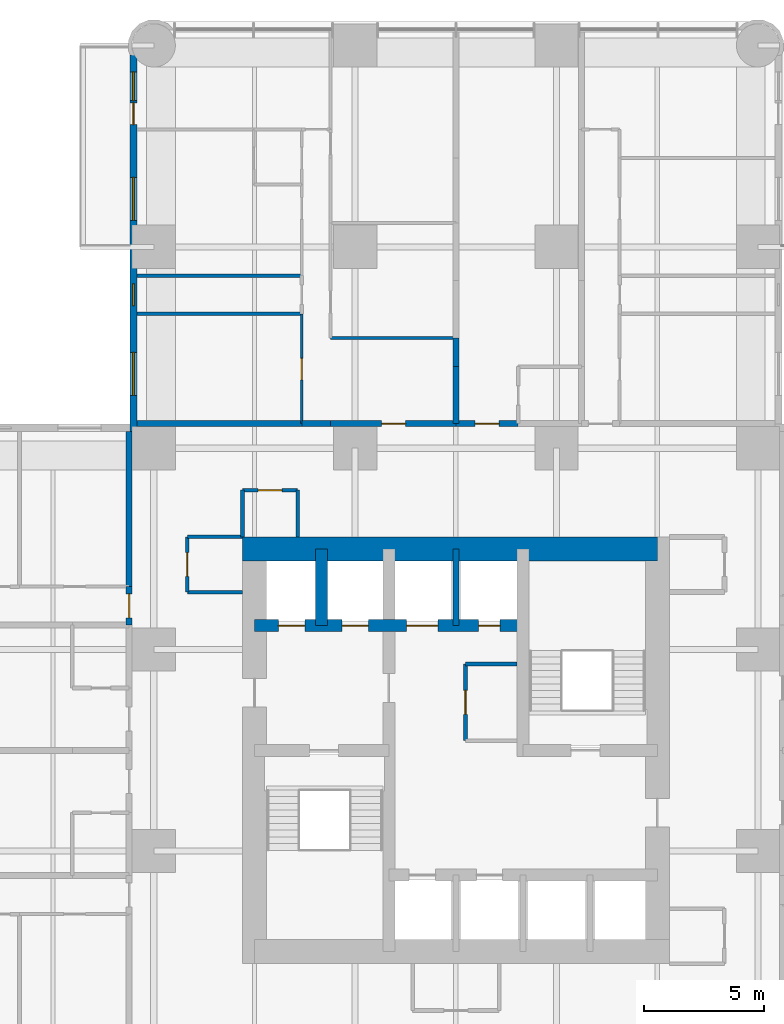
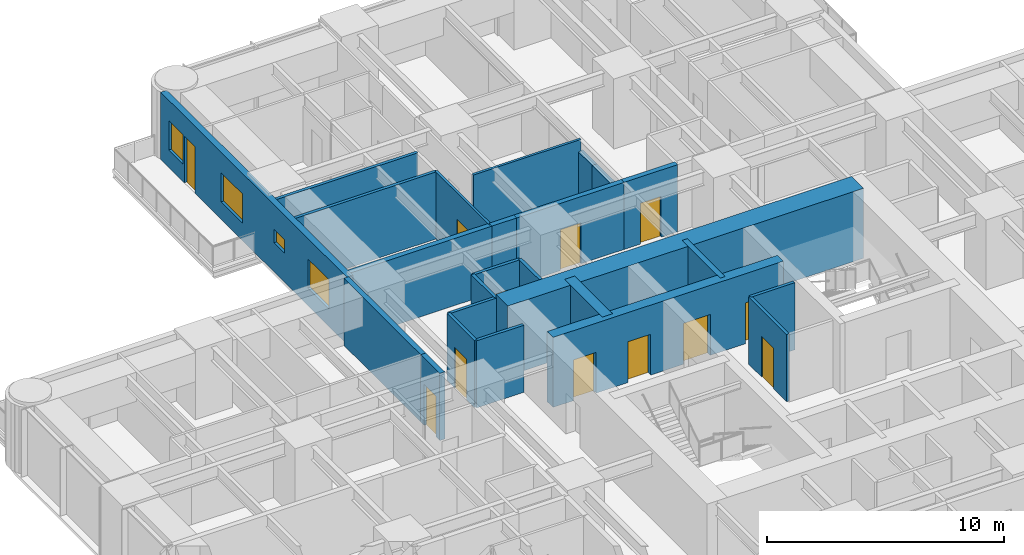
# One storey, part 12 of 17: 25 walls, 12 doors, 4 windows, 16 openings.
"""IFC4 building model written with IfcOpenShell, lengths in metres."""

from ifc_helpers import new_model, si_unit, direction, frame, frame_2d, origin, place, context, subcontext, project, spatial, rectangle, extrude, material, layer, layer_set, type_object, element, fill, save


model = new_model("IFC4")

# Units and contexts
model_context = context("Model", 3, precision=1e-05, world=origin(), true_north=direction((0.0, 1.0)))
body_context = subcontext(model_context, "Body", "Model", "MODEL_VIEW")
ifc_project = project(units=[si_unit("LENGTHUNIT", "METRE"), si_unit("AREAUNIT", "SQUARE_METRE"), si_unit("VOLUMEUNIT", "CUBIC_METRE"), si_unit("PLANEANGLEUNIT", "RADIAN"), si_unit("MASSUNIT", "GRAM", prefix="KILO")], contexts=[model_context])

# Site, building, storey
site_placement = place(None, origin())
site = spatial("IfcSite", under=ifc_project, at=site_placement, CompositionType="ELEMENT")
building_placement = place(site_placement, origin())
building = spatial("IfcBuilding", under=site, at=building_placement, Name="Torre Alcanfor", CompositionType="ELEMENT")
storey_placement = place(building_placement, frame((0.0, 0.0, 70.5)))
storey = spatial("IfcBuildingStorey", under=building, at=storey_placement, Name="L17", CompositionType="ELEMENT", Elevation=70.5)

# Wall, opening, door
ifc_material_1 = material(Name="Concrete block masonry, hollow blocks NMX-C-404 9 MPa", Category="masonry")
ifc_layer_1 = layer(ifc_material_1, 0.25)
ifc_layer_set_1 = layer_set([ifc_layer_1], Name="Apartment entrance wall 250 EI 60")
wall_type_1 = type_object("IfcWallType", Name="Apartment entrance wall 250 EI 60", PredefinedType="PARTITIONING", material=ifc_layer_set_1)
wall_1_placement = place(storey_placement, frame((24.1708984375, 43.02490234375, 0.0), z_axis=(0.0, 0.0, 1.0), x_axis=(1.0, 0.0, 0.0)))
wall_1 = element("IfcWall", 1, at=wall_1_placement, inside=storey, type_object=wall_type_1, Name="Partition L17-CORR / L17-N1-ZAG", PredefinedType="PARTITIONING", context=body_context, shape_type="SweptSolid", body=[
    extrude(rectangle(XDim=5.22900390625, YDim=0.25, at=frame_2d((2.614501953125, 0.0))), origin(), (0.0, 0.0, 1.0), 3.449951171875),
])
opening_1_placement = place(wall_1_placement, frame((2.12890625, 0.0, 0.0)))
opening_1 = element("IfcOpeningElement", 2, at=opening_1_placement, cuts=wall_1, Name="Opening D-A1", PredefinedType="OPENING", context=body_context, shape_type="SweptSolid", body=[
    extrude(rectangle(XDim=1.0, YDim=2.10009765625, at=frame_2d((0.5, 1.050048828125))), frame((0.0, 0.135009765625, 0.0), z_axis=(0.0, -1.0, 0.0), x_axis=(1.0, 0.0, 0.0)), (0.0, 0.0, 1.0), 0.27001953125),
])
ifc_material_2 = material(Name="Galvanised steel sheet ASTM A653", Category="steel")
door_type_1 = type_object("IfcDoorType", Name="Apartment entrance door FD60 1000x2100", OperationType="SINGLE_SWING_LEFT", PredefinedType="DOOR", material=ifc_material_2)
door_1_placement = place(opening_1_placement, origin())
door_1 = element("IfcDoor", 3, at=door_1_placement, inside=storey, type_object=door_type_1, Name="Apartment entrance L17-N1", OperationType="SINGLE_SWING_RIGHT", OverallHeight=2.10009765625, OverallWidth=1.0, PredefinedType="DOOR", context=body_context, shape_type="SweptSolid", body=[
    extrude(rectangle(XDim=1.0, YDim=2.10009765625, at=frame_2d((0.5, 1.050048828125))), frame((0.0, 0.02490234375, 0.0), z_axis=(0.0, -1.0, 0.0), x_axis=(1.0, 0.0, 0.0)), (0.0, 0.0, 1.0), 0.050048828125),
])
fill(opening_1, door_1)

# Walls
wall_2_placement = place(storey_placement, frame((22.970947265625, 43.02490234375, 0.0), z_axis=(0.0, 0.0, 1.0), x_axis=(1.0, 0.0, 0.0)))
element("IfcWall", 4, at=wall_2_placement, inside=storey, type_object=wall_type_1, Name="Partition L17-CORR / L17-N1-HALL", PredefinedType="PARTITIONING", context=body_context, shape_type="SweptSolid", body=[
    extrude(rectangle(XDim=1.199951171875, YDim=0.25, at=frame_2d((0.60009765625, 0.0))), origin(), (0.0, 0.0, 1.0), 3.449951171875),
])
wall_3_placement = place(storey_placement, frame((16.10009765625, 43.02490234375, 0.0), z_axis=(0.0, 0.0, 1.0), x_axis=(1.0, 0.0, 0.0)))
element("IfcWall", 5, at=wall_3_placement, inside=storey, type_object=wall_type_1, Name="Partition L17-CORR / L17-N1-BED2", PredefinedType="PARTITIONING", context=body_context, shape_type="SweptSolid", body=[
    extrude(rectangle(XDim=6.870849609375, YDim=0.25, at=frame_2d((3.435546875, 0.0))), origin(), (0.0, 0.0, 1.0), 3.449951171875),
])

# Wall, opening, door
wall_4_placement = place(storey_placement, frame((29.39990234375, 43.02490234375, 0.0), z_axis=(0.0, 0.0, 1.0), x_axis=(1.0, 0.0, 0.0)))
wall_4 = element("IfcWall", 6, at=wall_4_placement, inside=storey, type_object=wall_type_1, Name="Partition L17-CORR / L17-N2A-FOYER", PredefinedType="PARTITIONING", context=body_context, shape_type="SweptSolid", body=[
    extrude(rectangle(XDim=2.60009765625, YDim=0.25, at=frame_2d((1.300048828125, 0.0))), origin(), (0.0, 0.0, 1.0), 3.449951171875),
])
opening_2_placement = place(wall_4_placement, frame((0.800048828125, 0.0, 0.0)))
opening_2 = element("IfcOpeningElement", 7, at=opening_2_placement, cuts=wall_4, Name="Opening D-A1", PredefinedType="OPENING", context=body_context, shape_type="SweptSolid", body=[
    extrude(rectangle(XDim=1.0, YDim=2.10009765625, at=frame_2d((0.5, 1.050048828125))), frame((0.0, 0.135009765625, 0.0), z_axis=(0.0, -1.0, 0.0), x_axis=(1.0, 0.0, 0.0)), (0.0, 0.0, 1.0), 0.27001953125),
])
door_2_placement = place(opening_2_placement, origin())
door_2 = element("IfcDoor", 8, at=door_2_placement, inside=storey, type_object=door_type_1, Name="Apartment entrance L17-N2A", OperationType="SINGLE_SWING_LEFT", OverallHeight=2.10009765625, OverallWidth=1.0, PredefinedType="DOOR", context=body_context, shape_type="SweptSolid", body=[
    extrude(rectangle(XDim=1.0, YDim=2.10009765625, at=frame_2d((0.5, 1.050048828125))), frame((0.0, 0.02490234375, 0.0), z_axis=(0.0, -1.0, 0.0), x_axis=(1.0, 0.0, 0.0)), (0.0, 0.0, 1.0), 0.050048828125),
])
fill(opening_2, door_2)

wall_5_placement = place(storey_placement, frame((15.77490234375, 34.62890625, 0.0), z_axis=(0.0, 0.0, 1.0), x_axis=(0.0, 1.0, 0.0)))
wall_5 = element("IfcWall", 9, at=wall_5_placement, inside=storey, type_object=wall_type_1, Name="Partition L17-CORR / L17-W2B-HALL", PredefinedType="PARTITIONING", context=body_context, shape_type="SweptSolid", body=[
    extrude(rectangle(XDim=1.60009765625, YDim=0.25, at=frame_2d((0.800048828125, 0.0))), origin(), (0.0, 0.0, 1.0), 3.449951171875),
])
opening_3_placement = place(wall_5_placement, frame((0.300048828125, 0.0, 0.0)))
opening_3 = element("IfcOpeningElement", 10, at=opening_3_placement, cuts=wall_5, Name="Opening D-A1", PredefinedType="OPENING", context=body_context, shape_type="SweptSolid", body=[
    extrude(rectangle(XDim=1.0, YDim=2.10009765625, at=frame_2d((0.5, 1.050048828125))), frame((0.0, 0.135009765625, 0.0), z_axis=(0.0, -1.0, 0.0), x_axis=(1.0, 0.0, 0.0)), (0.0, 0.0, 1.0), 0.27001953125),
])
door_3_placement = place(opening_3_placement, origin())
door_3 = element("IfcDoor", 11, at=door_3_placement, inside=storey, type_object=door_type_1, Name="Apartment entrance L17-W2B", OperationType="SINGLE_SWING_LEFT", OverallHeight=2.10009765625, OverallWidth=1.0, PredefinedType="DOOR", context=body_context, shape_type="SweptSolid", body=[
    extrude(rectangle(XDim=1.0, YDim=2.10009765625, at=frame_2d((0.5, 1.050048828125))), frame((0.0, 0.02490234375, 0.0), z_axis=(0.0, -1.0, 0.0), x_axis=(1.0, 0.0, 0.0)), (0.0, 0.0, 1.0), 0.050048828125),
])
fill(opening_3, door_3)

# Walls
wall_6_placement = place(storey_placement, frame((15.77490234375, 36.22900390625, 0.0), z_axis=(0.0, 0.0, 1.0), x_axis=(0.0, 1.0, 0.0)))
element("IfcWall", 12, at=wall_6_placement, inside=storey, type_object=wall_type_1, Name="Partition L17-CORR / L17-W2B-BED2", PredefinedType="PARTITIONING", context=body_context, shape_type="SweptSolid", body=[
    extrude(rectangle(XDim=6.470947265625, YDim=0.25, at=frame_2d((3.2353515625, 0.0))), origin(), (0.0, 0.0, 1.0), 3.449951171875),
])
ifc_material_3 = material(Name="Gypsum board on steel studs", Category="steel")
ifc_layer_2 = layer(ifc_material_3, 0.1201171875)
ifc_layer_set_2 = layer_set([ifc_layer_2], Name="Apartment partition 120")
wall_type_2 = type_object("IfcWallType", Name="Apartment partition 120", PredefinedType="PARTITIONING", material=ifc_layer_set_2)
wall_7_placement = place(storey_placement, frame((29.39990234375, 46.60009765625, 0.0), z_axis=(0.0, 0.0, 1.0), x_axis=(-1.0, 0.0, 0.0)))
element("IfcWall", 13, at=wall_7_placement, inside=storey, type_object=wall_type_2, Name="Partition L17-N1-ZAG / L17-N1-FAMILY", PredefinedType="PARTITIONING", context=body_context, shape_type="SweptSolid", body=[
    extrude(rectangle(XDim=5.22900390625, YDim=0.1201171875, at=frame_2d((2.614501953125, 0.0))), origin(), (0.0, 0.0, 1.0), 3.449951171875),
])

# Wall, opening, door
wall_8_placement = place(storey_placement, frame((22.970947265625, 47.60009765625, 0.0), z_axis=(0.0, 0.0, 1.0), x_axis=(0.0, -1.0, 0.0)))
wall_8 = element("IfcWall", 14, at=wall_8_placement, inside=storey, type_object=wall_type_2, Name="Partition L17-N1-HALL / L17-N1-BED2", PredefinedType="PARTITIONING", context=body_context, shape_type="SweptSolid", body=[
    extrude(rectangle(XDim=4.5751953125, YDim=0.1201171875, at=frame_2d((2.28759765625, 0.0))), origin(), (0.0, 0.0, 1.0), 3.449951171875),
])
opening_4_placement = place(wall_8_placement, frame((1.85009765625, 0.0, 0.0)))
opening_4 = element("IfcOpeningElement", 15, at=opening_4_placement, cuts=wall_8, Name="Opening D-R1", PredefinedType="OPENING", context=body_context, shape_type="SweptSolid", body=[
    extrude(rectangle(XDim=0.89990234375, YDim=2.10009765625, at=frame_2d((0.449951171875, 1.050048828125))), frame((0.0, 0.070068359375, 0.0), z_axis=(0.0, -1.0, 0.0), x_axis=(1.0, 0.0, 0.0)), (0.0, 0.0, 1.0), 0.14013671875),
])
ifc_material_4 = material(Name="Timber", Category="wood")
door_type_2 = type_object("IfcDoorType", Name="Internal door 900x2100", OperationType="SINGLE_SWING_LEFT", PredefinedType="DOOR", material=ifc_material_4)
door_4_placement = place(opening_4_placement, frame((0.89990234375, 0.0, 0.0), z_axis=(0.0, 0.0, 1.0), x_axis=(-1.0, 0.0, 0.0)))
door_4 = element("IfcDoor", 16, at=door_4_placement, inside=storey, type_object=door_type_2, Name="Door L17-N1 bed2", OperationType="SINGLE_SWING_LEFT", OverallHeight=2.10009765625, OverallWidth=0.89990234375, PredefinedType="DOOR", context=body_context, shape_type="SweptSolid", body=[
    extrude(rectangle(XDim=0.89990234375, YDim=2.10009765625, at=frame_2d((0.449951171875, 1.050048828125))), frame((0.0, 0.025146484375, 0.0), z_axis=(0.0, -1.0, 0.0), x_axis=(1.0, 0.0, 0.0)), (0.0, 0.0, 1.0), 0.050048828125),
])
fill(opening_4, door_4)

# Wall, openings, doors
ifc_material_5 = material(Name="Concrete f'c 70 MPa", Category="concrete")
ifc_layer_3 = layer(ifc_material_5, 0.5)
ifc_layer_set_3 = layer_set([ifc_layer_3], Name="Core inner wall 500 f'c70")
wall_type_3 = type_object("IfcWallType", Name="Core inner wall 500 f'c70", PredefinedType="SHEAR", material=ifc_layer_set_3)
wall_9_placement = place(storey_placement, frame((21.0, 34.60009765625, 0.0), z_axis=(0.0, 0.0, 1.0), x_axis=(1.0, 0.0, 0.0)))
wall_9 = element("IfcWall", 17, at=wall_9_placement, inside=storey, type_object=wall_type_3, Name="Core wall Y346 L17", PredefinedType="SHEAR", context=body_context, shape_type="SweptSolid", body=[
    extrude(rectangle(XDim=11.199951171875, YDim=0.5, at=frame_2d((5.60009765625, 0.0))), origin(), (0.0, 0.0, 1.0), 3.60009765625),
])
opening_5_placement = place(wall_9_placement, frame((9.35009765625, 0.0, 0.0)))
opening_5 = element("IfcOpeningElement", 18, at=opening_5_placement, cuts=wall_9, Name="Opening D-Q1", PredefinedType="OPENING", context=body_context, shape_type="SweptSolid", body=[
    extrude(rectangle(XDim=0.89990234375, YDim=2.10009765625, at=frame_2d((0.449951171875, 1.050048828125))), frame((0.0, 0.260009765625, 0.0), z_axis=(0.0, -1.0, 0.0), x_axis=(1.0, 0.0, 0.0)), (0.0, 0.0, 1.0), 0.52001953125),
])
opening_6_placement = place(wall_9_placement, frame((1.0, 0.0, 0.0)))
opening_6 = element("IfcOpeningElement", 19, at=opening_6_placement, cuts=wall_9, Name="Opening LD2", PredefinedType="OPENING", context=body_context, shape_type="SweptSolid", body=[
    extrude(rectangle(XDim=1.10009765625, YDim=2.10009765625, at=frame_2d((0.550048828125, 1.050048828125))), frame((0.0, 0.260009765625, 0.0), z_axis=(0.0, -1.0, 0.0), x_axis=(1.0, 0.0, 0.0)), (0.0, 0.0, 1.0), 0.52001953125),
])
opening_7_placement = place(wall_9_placement, frame((3.64990234375, 0.0, 0.0)))
opening_7 = element("IfcOpeningElement", 20, at=opening_7_placement, cuts=wall_9, Name="Opening LD2", PredefinedType="OPENING", context=body_context, shape_type="SweptSolid", body=[
    extrude(rectangle(XDim=1.10009765625, YDim=2.10009765625, at=frame_2d((0.550048828125, 1.050048828125))), frame((0.0, 0.260009765625, 0.0), z_axis=(0.0, -1.0, 0.0), x_axis=(1.0, 0.0, 0.0)), (0.0, 0.0, 1.0), 0.52001953125),
])
opening_8_placement = place(wall_9_placement, frame((6.35009765625, 0.0, 0.0)))
opening_8 = element("IfcOpeningElement", 21, at=opening_8_placement, cuts=wall_9, Name="Opening LD3", PredefinedType="OPENING", context=body_context, shape_type="SweptSolid", body=[
    extrude(rectangle(XDim=1.300048828125, YDim=2.10009765625, at=frame_2d((0.64990234375, 1.050048828125))), frame((0.0, 0.260009765625, 0.0), z_axis=(0.0, -1.0, 0.0), x_axis=(1.0, 0.0, 0.0)), (0.0, 0.0, 1.0), 0.52001953125),
])
ifc_material_6 = material(Name="Galvanised steel sheet ASTM A653", Category="steel")
door_type_3 = type_object("IfcDoorType", Name="Firefighting lift landing door 1100x2100", OperationType="DOUBLE_DOOR_SLIDING", PredefinedType="DOOR", material=ifc_material_6)
door_5_placement = place(opening_6_placement, origin())
door_5 = element("IfcDoor", 22, at=door_5_placement, inside=storey, type_object=door_type_3, Name="Lift landing door FL1 L17", OperationType="DOUBLE_DOOR_SLIDING", OverallHeight=2.10009765625, OverallWidth=1.10009765625, PredefinedType="DOOR", context=body_context, shape_type="SweptSolid", body=[
    extrude(rectangle(XDim=1.10009765625, YDim=2.10009765625, at=frame_2d((0.550048828125, 1.050048828125))), frame((0.0, 0.02490234375, 0.0), z_axis=(0.0, -1.0, 0.0), x_axis=(1.0, 0.0, 0.0)), (0.0, 0.0, 1.0), 0.050048828125),
])
fill(opening_6, door_5)
door_6_placement = place(opening_7_placement, origin())
door_6 = element("IfcDoor", 23, at=door_6_placement, inside=storey, type_object=door_type_3, Name="Lift landing door FL2 L17", OperationType="DOUBLE_DOOR_SLIDING", OverallHeight=2.10009765625, OverallWidth=1.10009765625, PredefinedType="DOOR", context=body_context, shape_type="SweptSolid", body=[
    extrude(rectangle(XDim=1.10009765625, YDim=2.10009765625, at=frame_2d((0.550048828125, 1.050048828125))), frame((0.0, 0.02490234375, 0.0), z_axis=(0.0, -1.0, 0.0), x_axis=(1.0, 0.0, 0.0)), (0.0, 0.0, 1.0), 0.050048828125),
])
fill(opening_7, door_6)
ifc_material_7 = material(Name="Galvanised steel sheet ASTM A653", Category="steel")
door_type_4 = type_object("IfcDoorType", Name="Riser access door FD120 900x2100", OperationType="SINGLE_SWING_LEFT", PredefinedType="DOOR", material=ifc_material_7)
door_7_placement = place(opening_5_placement, origin())
door_7 = element("IfcDoor", 24, at=door_7_placement, inside=storey, type_object=door_type_4, Name="Riser door L17", OperationType="SINGLE_SWING_LEFT", OverallHeight=2.10009765625, OverallWidth=0.89990234375, PredefinedType="DOOR", context=body_context, shape_type="SweptSolid", body=[
    extrude(rectangle(XDim=0.89990234375, YDim=2.10009765625, at=frame_2d((0.449951171875, 1.050048828125))), frame((0.0, 0.02490234375, 0.0), z_axis=(0.0, -1.0, 0.0), x_axis=(1.0, 0.0, 0.0)), (0.0, 0.0, 1.0), 0.050048828125),
])
fill(opening_5, door_7)
ifc_material_8 = material(Name="Galvanised steel sheet ASTM A653", Category="steel")
door_type_5 = type_object("IfcDoorType", Name="Service lift landing door 1300x2100", OperationType="DOUBLE_DOOR_SLIDING", PredefinedType="DOOR", material=ifc_material_8)
door_8_placement = place(opening_8_placement, origin())
door_8 = element("IfcDoor", 25, at=door_8_placement, inside=storey, type_object=door_type_5, Name="Lift landing door SL1 L17", OperationType="DOUBLE_DOOR_SLIDING", OverallHeight=2.10009765625, OverallWidth=1.300048828125, PredefinedType="DOOR", context=body_context, shape_type="SweptSolid", body=[
    extrude(rectangle(XDim=1.300048828125, YDim=2.10009765625, at=frame_2d((0.64990234375, 1.050048828125))), frame((0.0, 0.02490234375, 0.0), z_axis=(0.0, -1.0, 0.0), x_axis=(1.0, 0.0, 0.0)), (0.0, 0.0, 1.0), 0.050048828125),
])
fill(opening_8, door_8)

# Walls
wall_10_placement = place(storey_placement, frame((23.800048828125, 34.60009765625, 0.0), z_axis=(0.0, 0.0, 1.0), x_axis=(0.0, 1.0, 0.0)))
element("IfcWall", 26, at=wall_10_placement, inside=storey, type_object=wall_type_3, Name="Core wall X238 L17", PredefinedType="SHEAR", context=body_context, shape_type="SweptSolid", body=[
    extrude(rectangle(XDim=3.199951171875, YDim=0.5, at=frame_2d((1.60009765625, 0.0))), origin(), (0.0, 0.0, 1.0), 3.60009765625),
])
ifc_material_9 = material(Name="Concrete f'c 70 MPa", Category="concrete")
ifc_layer_4 = layer(ifc_material_9, 0.25)
ifc_layer_set_4 = layer_set([ifc_layer_4], Name="Core shaft wall 250 f'c70")
wall_type_4 = type_object("IfcWallType", Name="Core shaft wall 250 f'c70", PredefinedType="SHEAR", material=ifc_layer_set_4)
wall_11_placement = place(storey_placement, frame((29.39990234375, 34.60009765625, 0.0), z_axis=(0.0, 0.0, 1.0), x_axis=(0.0, 1.0, 0.0)))
element("IfcWall", 27, at=wall_11_placement, inside=storey, type_object=wall_type_4, Name="Core wall X294N L17", PredefinedType="SHEAR", context=body_context, shape_type="SweptSolid", body=[
    extrude(rectangle(XDim=3.199951171875, YDim=0.25, at=frame_2d((1.60009765625, 0.0))), origin(), (0.0, 0.0, 1.0), 3.60009765625),
])
ifc_material_10 = material(Name="Concrete f'c 70 MPa", Category="concrete")
ifc_layer_5 = layer(ifc_material_10, 1.0)
ifc_layer_set_5 = layer_set([ifc_layer_5], Name="Core wall 1000 f'c70")
wall_type_5 = type_object("IfcWallType", Name="Core wall 1000 f'c70", PredefinedType="SHEAR", material=ifc_layer_set_5)
wall_12_placement = place(storey_placement, frame((37.800048828125, 37.800048828125, 0.0), z_axis=(0.0, 0.0, 1.0), x_axis=(-1.0, 0.0, 0.0)))
element("IfcWall", 28, at=wall_12_placement, inside=storey, type_object=wall_type_5, Name="Core wall OUT-N L17", PredefinedType="SHEAR", context=body_context, shape_type="SweptSolid", body=[
    extrude(rectangle(XDim=17.300048828125, YDim=1.0, at=frame_2d((8.64990234375, 0.0))), origin(), (0.0, 0.0, 1.0), 3.60009765625),
])

# Wall, openings, door, windows
ifc_material_11 = material(Name="Limestone cladding", Category="masonry")
ifc_layer_6 = layer(ifc_material_11, 0.0400390625, Name="Facing")
ifc_material_12 = material(Name="Ventilated air cavity")
ifc_layer_7 = layer(ifc_material_12, 0.02001953125, ventilated=True, Name="Ventilated joint")
ifc_material_13 = material(Name="Mineral wool insulation", Category="insulation")
ifc_layer_8 = layer(ifc_material_13, 0.10009765625, Name="Insulation")
ifc_material_14 = material(Name="Concrete f'c 35 MPa", Category="concrete")
ifc_layer_9 = layer(ifc_material_14, 0.139892578125, Name="Backing")
ifc_layer_set_6 = layer_set([ifc_layer_6, ifc_layer_7, ifc_layer_8, ifc_layer_9], Name="External wall stone-clad 300")
wall_type_6 = type_object("IfcWallType", Name="External wall stone-clad 300", PredefinedType="SOLIDWALL", material=ifc_layer_set_6)
wall_13_placement = place(storey_placement, frame((15.949951171875, 58.39990234375, 0.0), z_axis=(0.0, 0.0, 1.0), x_axis=(0.0, -1.0, 0.0)))
wall_13 = element("IfcWall", 29, at=wall_13_placement, inside=storey, type_object=wall_type_6, Name="External wall L17 12", PredefinedType="SOLIDWALL", context=body_context, shape_type="SweptSolid", body=[
    extrude(rectangle(XDim=15.699951171875, YDim=0.300048828125, at=frame_2d((7.85009765625, 0.0))), origin(), (0.0, 0.0, 1.0), 3.449951171875),
])
opening_9_placement = place(wall_13_placement, frame((12.39990234375, 0.0, 0.89990234375)))
opening_9 = element("IfcOpeningElement", 30, at=opening_9_placement, cuts=wall_13, Name="Opening W2", PredefinedType="OPENING", context=body_context, shape_type="SweptSolid", body=[
    extrude(rectangle(XDim=1.800048828125, YDim=1.5, at=frame_2d((0.89990234375, 0.75))), frame((0.0, 0.159912109375, 0.0), z_axis=(0.0, -1.0, 0.0), x_axis=(1.0, 0.0, 0.0)), (0.0, 0.0, 1.0), 0.320068359375),
])
opening_10_placement = place(wall_13_placement, frame((9.550048828125, 0.0, 1.5)))
opening_10 = element("IfcOpeningElement", 31, at=opening_10_placement, cuts=wall_13, Name="Opening W3", PredefinedType="OPENING", context=body_context, shape_type="SweptSolid", body=[
    extrude(rectangle(XDim=0.89990234375, YDim=0.699951171875, at=frame_2d((0.449951171875, 0.35009765625))), frame((0.0, 0.159912109375, 0.0), z_axis=(0.0, -1.0, 0.0), x_axis=(1.0, 0.0, 0.0)), (0.0, 0.0, 1.0), 0.320068359375),
])
opening_11_placement = place(wall_13_placement, frame((5.10009765625, 0.0, 0.89990234375)))
opening_11 = element("IfcOpeningElement", 32, at=opening_11_placement, cuts=wall_13, Name="Opening W2", PredefinedType="OPENING", context=body_context, shape_type="SweptSolid", body=[
    extrude(rectangle(XDim=1.800048828125, YDim=1.5, at=frame_2d((0.89990234375, 0.75))), frame((0.0, 0.159912109375, 0.0), z_axis=(0.0, -1.0, 0.0), x_axis=(1.0, 0.0, 0.0)), (0.0, 0.0, 1.0), 0.320068359375),
])
opening_12_placement = place(wall_13_placement, frame((2.0, 0.0, 0.0)))
opening_12 = element("IfcOpeningElement", 33, at=opening_12_placement, cuts=wall_13, Name="Opening D-B1", PredefinedType="OPENING", context=body_context, shape_type="SweptSolid", body=[
    extrude(rectangle(XDim=0.89990234375, YDim=2.39990234375, at=frame_2d((0.449951171875, 1.199951171875))), frame((0.0, 0.159912109375, 0.0), z_axis=(0.0, -1.0, 0.0), x_axis=(1.0, 0.0, 0.0)), (0.0, 0.0, 1.0), 0.320068359375),
])
opening_13_placement = place(wall_13_placement, frame((0.699951171875, 0.0, 0.89990234375)))
opening_13 = element("IfcOpeningElement", 34, at=opening_13_placement, cuts=wall_13, Name="Opening W4", PredefinedType="OPENING", context=body_context, shape_type="SweptSolid", body=[
    extrude(rectangle(XDim=1.199951171875, YDim=1.5, at=frame_2d((0.60009765625, 0.75))), frame((0.0, 0.159912109375, 0.0), z_axis=(0.0, -1.0, 0.0), x_axis=(1.0, 0.0, 0.0)), (0.0, 0.0, 1.0), 0.320068359375),
])
ifc_material_15 = material(Name="Aluminium and glass", Category="aluminium")
door_type_6 = type_object("IfcDoorType", Name="Balcony door glazed 900x2400", OperationType="SINGLE_SWING_LEFT", PredefinedType="DOOR", material=ifc_material_15)
door_9_placement = place(opening_12_placement, origin())
door_9 = element("IfcDoor", 35, at=door_9_placement, inside=storey, type_object=door_type_6, Name="Balcony door L17-N1", OperationType="SINGLE_SWING_RIGHT", OverallHeight=2.39990234375, OverallWidth=0.89990234375, PredefinedType="DOOR", context=body_context, shape_type="SweptSolid", body=[
    extrude(rectangle(XDim=0.89990234375, YDim=2.39990234375, at=frame_2d((0.449951171875, 1.199951171875))), frame((0.0, 0.02490234375, 0.0), z_axis=(0.0, -1.0, 0.0), x_axis=(1.0, 0.0, 0.0)), (0.0, 0.0, 1.0), 0.050048828125),
])
fill(opening_12, door_9)
ifc_material_16 = material(Name="Aluminium frame with clear double glazing", Category="aluminium")
window_type_1 = type_object("IfcWindowType", Name="Window bathroom 900x700", PartitioningType="SINGLE_PANEL", PredefinedType="WINDOW", material=ifc_material_16)
window_1_placement = place(opening_10_placement, origin())
window_1 = element("IfcWindow", 36, at=window_1_placement, inside=storey, type_object=window_type_1, Name="Window W3 L17-N1", OverallHeight=0.699951171875, OverallWidth=0.89990234375, PartitioningType="SINGLE_PANEL", PredefinedType="WINDOW", context=body_context, shape_type="SweptSolid", body=[
    extrude(rectangle(XDim=0.89990234375, YDim=0.699951171875, at=frame_2d((0.449951171875, 0.35009765625))), frame((0.0, 0.030029296875, 0.0), z_axis=(0.0, -1.0, 0.0), x_axis=(1.0, 0.0, 0.0)), (0.0, 0.0, 1.0), 0.06005859375),
])
fill(opening_10, window_1)
ifc_material_17 = material(Name="Aluminium frame with clear double glazing", Category="aluminium")
window_type_2 = type_object("IfcWindowType", Name="Window bedroom 1200x1500", PartitioningType="SINGLE_PANEL", PredefinedType="WINDOW", material=ifc_material_17)
window_2_placement = place(opening_13_placement, origin())
window_2 = element("IfcWindow", 37, at=window_2_placement, inside=storey, type_object=window_type_2, Name="Window W4 L17-N1", OverallHeight=1.5, OverallWidth=1.199951171875, PartitioningType="SINGLE_PANEL", PredefinedType="WINDOW", context=body_context, shape_type="SweptSolid", body=[
    extrude(rectangle(XDim=1.199951171875, YDim=1.5, at=frame_2d((0.60009765625, 0.75))), frame((0.0, 0.030029296875, 0.0), z_axis=(0.0, -1.0, 0.0), x_axis=(1.0, 0.0, 0.0)), (0.0, 0.0, 1.0), 0.06005859375),
])
fill(opening_13, window_2)
ifc_material_18 = material(Name="Aluminium frame with clear double glazing", Category="aluminium")
window_type_3 = type_object("IfcWindowType", Name="Window bedroom 1800x1500", PartitioningType="SINGLE_PANEL", PredefinedType="WINDOW", material=ifc_material_18)
window_3_placement = place(opening_9_placement, origin())
window_3 = element("IfcWindow", 38, at=window_3_placement, inside=storey, type_object=window_type_3, Name="Window W2 L17-N1", OverallHeight=1.5, OverallWidth=1.800048828125, PartitioningType="SINGLE_PANEL", PredefinedType="WINDOW", context=body_context, shape_type="SweptSolid", body=[
    extrude(rectangle(XDim=1.800048828125, YDim=1.5, at=frame_2d((0.89990234375, 0.75))), frame((0.0, 0.030029296875, 0.0), z_axis=(0.0, -1.0, 0.0), x_axis=(1.0, 0.0, 0.0)), (0.0, 0.0, 1.0), 0.06005859375),
])
fill(opening_9, window_3)
window_4_placement = place(opening_11_placement, origin())
window_4 = element("IfcWindow", 39, at=window_4_placement, inside=storey, type_object=window_type_3, Name="Window W2 L17-N1", OverallHeight=1.5, OverallWidth=1.800048828125, PartitioningType="SINGLE_PANEL", PredefinedType="WINDOW", context=body_context, shape_type="SweptSolid", body=[
    extrude(rectangle(XDim=1.800048828125, YDim=1.5, at=frame_2d((0.89990234375, 0.75))), frame((0.0, 0.030029296875, 0.0), z_axis=(0.0, -1.0, 0.0), x_axis=(1.0, 0.0, 0.0)), (0.0, 0.0, 1.0), 0.06005859375),
])
fill(opening_11, window_4)

# Walls
ifc_material_19 = material(Name="Concrete block masonry, hollow blocks NMX-C-404 9 MPa", Category="masonry")
ifc_layer_10 = layer(ifc_material_19, 0.25)
ifc_layer_set_7 = layer_set([ifc_layer_10], Name="Party wall 250 EI 60")
wall_type_7 = type_object("IfcWallType", Name="Party wall 250 EI 60", PredefinedType="PARTITIONING", material=ifc_layer_set_7)
wall_14_placement = place(storey_placement, frame((29.39990234375, 43.02490234375, 0.0), z_axis=(0.0, 0.0, 1.0), x_axis=(0.0, 1.0, 0.0)))
element("IfcWall", 40, at=wall_14_placement, inside=storey, type_object=wall_type_7, Name="Partition L17-N1-ZAG / L17-N2A-FOYER", PredefinedType="PARTITIONING", context=body_context, shape_type="SweptSolid", body=[
    extrude(rectangle(XDim=2.375, YDim=0.25, at=frame_2d((1.1875, 0.0))), origin(), (0.0, 0.0, 1.0), 2.847900390625),
])
wall_15_placement = place(storey_placement, frame((29.39990234375, 45.39990234375, 0.0), z_axis=(0.0, 0.0, 1.0), x_axis=(0.0, 1.0, 0.0)))
element("IfcWall", 41, at=wall_15_placement, inside=storey, type_object=wall_type_7, Name="Partition L17-N1-ZAG / L17-N2A-KITCHEN", PredefinedType="PARTITIONING", context=body_context, shape_type="SweptSolid", body=[
    extrude(rectangle(XDim=1.2001953125, YDim=0.25, at=frame_2d((0.60009765625, 0.0))), origin(), (0.0, 0.0, 1.0), 2.847900390625),
])
ifc_material_20 = material(Name="Concrete block masonry, hollow blocks NMX-C-404 9 MPa", Category="masonry")
ifc_layer_11 = layer(ifc_material_20, 0.14990234375)
ifc_layer_set_8 = layer_set([ifc_layer_11], Name="Residents' room partition 150")
wall_type_8 = type_object("IfcWallType", Name="Residents' room partition 150", PredefinedType="PARTITIONING", material=ifc_layer_set_8)
wall_16_placement = place(storey_placement, frame((22.800048828125, 38.300048828125, 0.0), z_axis=(0.0, 0.0, 1.0), x_axis=(0.0, 1.0, 0.0)))
element("IfcWall", 42, at=wall_16_placement, inside=storey, type_object=wall_type_8, Name="Partition L17-CORR / L17-G01", PredefinedType="PARTITIONING", context=body_context, shape_type="SweptSolid", body=[
    extrude(rectangle(XDim=1.949951171875, YDim=0.14990234375, at=frame_2d((0.97509765625, 0.0))), origin(), (0.0, 0.0, 1.0), 3.449951171875),
])

# Wall, opening, door
wall_17_placement = place(storey_placement, frame((22.800048828125, 40.25, 0.0), z_axis=(0.0, 0.0, 1.0), x_axis=(-1.0, 0.0, 0.0)))
wall_17 = element("IfcWall", 43, at=wall_17_placement, inside=storey, type_object=wall_type_8, Name="Partition L17-CORR / L17-G01", PredefinedType="PARTITIONING", context=body_context, shape_type="SweptSolid", body=[
    extrude(rectangle(XDim=2.300048828125, YDim=0.14990234375, at=frame_2d((1.14990234375, 0.0))), origin(), (0.0, 0.0, 1.0), 3.449951171875),
])
opening_14_placement = place(wall_17_placement, frame((0.64990234375, 0.0, 0.0)))
opening_14 = element("IfcOpeningElement", 44, at=opening_14_placement, cuts=wall_17, Name="Opening D-M1", PredefinedType="OPENING", context=body_context, shape_type="SweptSolid", body=[
    extrude(rectangle(XDim=1.0, YDim=2.10009765625, at=frame_2d((0.5, 1.050048828125))), frame((0.0, 0.0849609375, 0.0), z_axis=(0.0, -1.0, 0.0), x_axis=(1.0, 0.0, 0.0)), (0.0, 0.0, 1.0), 0.169921875),
])
ifc_material_21 = material(Name="Timber", Category="wood")
door_type_7 = type_object("IfcDoorType", Name="Residents' room door 1000x2100", OperationType="SINGLE_SWING_LEFT", PredefinedType="DOOR", material=ifc_material_21)
door_10_placement = place(opening_14_placement, origin())
door_10 = element("IfcDoor", 45, at=door_10_placement, inside=storey, type_object=door_type_7, Name="Door L17-G01 pram and buggy store", OperationType="SINGLE_SWING_LEFT", OverallHeight=2.10009765625, OverallWidth=1.0, PredefinedType="DOOR", context=body_context, shape_type="SweptSolid", body=[
    extrude(rectangle(XDim=1.0, YDim=2.10009765625, at=frame_2d((0.5, 1.050048828125))), frame((0.0, 0.02490234375, 0.0), z_axis=(0.0, -1.0, 0.0), x_axis=(1.0, 0.0, 0.0)), (0.0, 0.0, 1.0), 0.050048828125),
])
fill(opening_14, door_10)

# Walls
wall_18_placement = place(storey_placement, frame((20.5, 40.25, 0.0), z_axis=(0.0, 0.0, 1.0), x_axis=(0.0, -1.0, 0.0)))
element("IfcWall", 46, at=wall_18_placement, inside=storey, type_object=wall_type_8, Name="Partition L17-CORR / L17-G01", PredefinedType="PARTITIONING", context=body_context, shape_type="SweptSolid", body=[
    extrude(rectangle(XDim=1.949951171875, YDim=0.14990234375, at=frame_2d((0.97509765625, 0.0))), origin(), (0.0, 0.0, 1.0), 3.449951171875),
])
wall_19_placement = place(storey_placement, frame((20.5, 38.300048828125, 0.0), z_axis=(0.0, 0.0, 1.0), x_axis=(-1.0, 0.0, 0.0)))
element("IfcWall", 47, at=wall_19_placement, inside=storey, type_object=wall_type_8, Name="Partition L17-CORR / L17-G05", PredefinedType="PARTITIONING", context=body_context, shape_type="SweptSolid", body=[
    extrude(rectangle(XDim=2.300048828125, YDim=0.14990234375, at=frame_2d((1.14990234375, 0.0))), origin(), (0.0, 0.0, 1.0), 3.449951171875),
])

# Wall, opening, door
wall_20_placement = place(storey_placement, frame((18.199951171875, 38.300048828125, 0.0), z_axis=(0.0, 0.0, 1.0), x_axis=(0.0, -1.0, 0.0)))
wall_20 = element("IfcWall", 48, at=wall_20_placement, inside=storey, type_object=wall_type_8, Name="Partition L17-CORR / L17-G05", PredefinedType="PARTITIONING", context=body_context, shape_type="SweptSolid", body=[
    extrude(rectangle(XDim=2.300048828125, YDim=0.14990234375, at=frame_2d((1.14990234375, 0.0))), origin(), (0.0, 0.0, 1.0), 3.449951171875),
])
opening_15_placement = place(wall_20_placement, frame((0.64990234375, 0.0, 0.0)))
opening_15 = element("IfcOpeningElement", 49, at=opening_15_placement, cuts=wall_20, Name="Opening D-M1", PredefinedType="OPENING", context=body_context, shape_type="SweptSolid", body=[
    extrude(rectangle(XDim=1.0, YDim=2.10009765625, at=frame_2d((0.5, 1.050048828125))), frame((0.0, 0.0849609375, 0.0), z_axis=(0.0, -1.0, 0.0), x_axis=(1.0, 0.0, 0.0)), (0.0, 0.0, 1.0), 0.169921875),
])
door_11_placement = place(opening_15_placement, origin())
door_11 = element("IfcDoor", 50, at=door_11_placement, inside=storey, type_object=door_type_7, Name="Door L17-G05 parcel room", OperationType="SINGLE_SWING_LEFT", OverallHeight=2.10009765625, OverallWidth=1.0, PredefinedType="DOOR", context=body_context, shape_type="SweptSolid", body=[
    extrude(rectangle(XDim=1.0, YDim=2.10009765625, at=frame_2d((0.5, 1.050048828125))), frame((0.0, 0.02490234375, 0.0), z_axis=(0.0, -1.0, 0.0), x_axis=(1.0, 0.0, 0.0)), (0.0, 0.0, 1.0), 0.050048828125),
])
fill(opening_15, door_11)

# Wall
wall_21_placement = place(storey_placement, frame((18.199951171875, 36.0, 0.0), z_axis=(0.0, 0.0, 1.0), x_axis=(1.0, 0.0, 0.0)))
element("IfcWall", 51, at=wall_21_placement, inside=storey, type_object=wall_type_8, Name="Partition L17-CORR / L17-G05", PredefinedType="PARTITIONING", context=body_context, shape_type="SweptSolid", body=[
    extrude(rectangle(XDim=2.300048828125, YDim=0.14990234375, at=frame_2d((1.14990234375, 0.0))), origin(), (0.0, 0.0, 1.0), 3.449951171875),
])

# Wall, opening, door
wall_22_placement = place(storey_placement, frame((29.800048828125, 29.800048828125, 0.0), z_axis=(0.0, 0.0, 1.0), x_axis=(0.0, 1.0, 0.0)))
wall_22 = element("IfcWall", 52, at=wall_22_placement, inside=storey, type_object=wall_type_8, Name="Partition L17-LL / L17-CR1", PredefinedType="PARTITIONING", context=body_context, shape_type="SweptSolid", body=[
    extrude(rectangle(XDim=3.199951171875, YDim=0.14990234375, at=frame_2d((1.60009765625, 0.0))), origin(), (0.0, 0.0, 1.0), 3.449951171875),
])
opening_16_placement = place(wall_22_placement, frame((1.10009765625, 0.0, 0.0)))
opening_16 = element("IfcOpeningElement", 53, at=opening_16_placement, cuts=wall_22, Name="Opening D-M1", PredefinedType="OPENING", context=body_context, shape_type="SweptSolid", body=[
    extrude(rectangle(XDim=1.0, YDim=2.10009765625, at=frame_2d((0.5, 1.050048828125))), frame((0.0, 0.0849609375, 0.0), z_axis=(0.0, -1.0, 0.0), x_axis=(1.0, 0.0, 0.0)), (0.0, 0.0, 1.0), 0.169921875),
])
door_12_placement = place(opening_16_placement, frame((1.0, 0.0, 0.0), z_axis=(0.0, 0.0, 1.0), x_axis=(-1.0, 0.0, 0.0)))
door_12 = element("IfcDoor", 54, at=door_12_placement, inside=storey, type_object=door_type_7, Name="Residents' parcel room door L17", OperationType="SINGLE_SWING_RIGHT", OverallHeight=2.10009765625, OverallWidth=1.0, PredefinedType="DOOR", context=body_context, shape_type="SweptSolid", body=[
    extrude(rectangle(XDim=1.0, YDim=2.10009765625, at=frame_2d((0.5, 1.050048828125))), frame((0.0, 0.025146484375, 0.0), z_axis=(0.0, -1.0, 0.0), x_axis=(1.0, 0.0, 0.0)), (0.0, 0.0, 1.0), 0.050048828125),
])
fill(opening_16, door_12)

# Walls
wall_23_placement = place(storey_placement, frame((29.800048828125, 33.0, 0.0), z_axis=(0.0, 0.0, 1.0), x_axis=(1.0, 0.0, 0.0)))
element("IfcWall", 55, at=wall_23_placement, inside=storey, type_object=wall_type_8, Name="Partition L17-LL / L17-CR1", PredefinedType="PARTITIONING", context=body_context, shape_type="SweptSolid", body=[
    extrude(rectangle(XDim=2.14990234375, YDim=0.14990234375, at=frame_2d((1.074951171875, 0.0))), origin(), (0.0, 0.0, 1.0), 3.449951171875),
])
ifc_material_22 = material(Name="Cement board on steel studs", Category="steel")
ifc_layer_12 = layer(ifc_material_22, 0.14990234375)
ifc_layer_set_9 = layer_set([ifc_layer_12], Name="Wet area partition 150")
wall_type_9 = type_object("IfcWallType", Name="Wet area partition 150", PredefinedType="PARTITIONING", material=ifc_layer_set_9)
for number, where, z_axis, x_axis, name in (
    (56, (22.970947265625, 47.60009765625, 0.0), (0.0, 0.0, 1.0), (-1.0, 0.0, 0.0), "Partition L17-N1-BED2 / L17-N1-BATH1"),
    (57, (22.970947265625, 49.199951171875, 0.0), (0.0, 0.0, 1.0), (-1.0, 0.0, 0.0), "Partition L17-N1-BATH1 / L17-N1-MASTER"),
):
    element("IfcWall", number, at=place(storey_placement, frame(where, z_axis=z_axis, x_axis=x_axis)), inside=storey, type_object=wall_type_9, Name=name, PredefinedType="PARTITIONING", context=body_context, shape_type="SweptSolid", body=[
        extrude(rectangle(XDim=6.870849609375, YDim=0.14990234375, at=frame_2d((3.435546875, 0.0))), origin(), (0.0, 0.0, 1.0), 3.449951171875),
    ])

save(model, "model.ifc")
